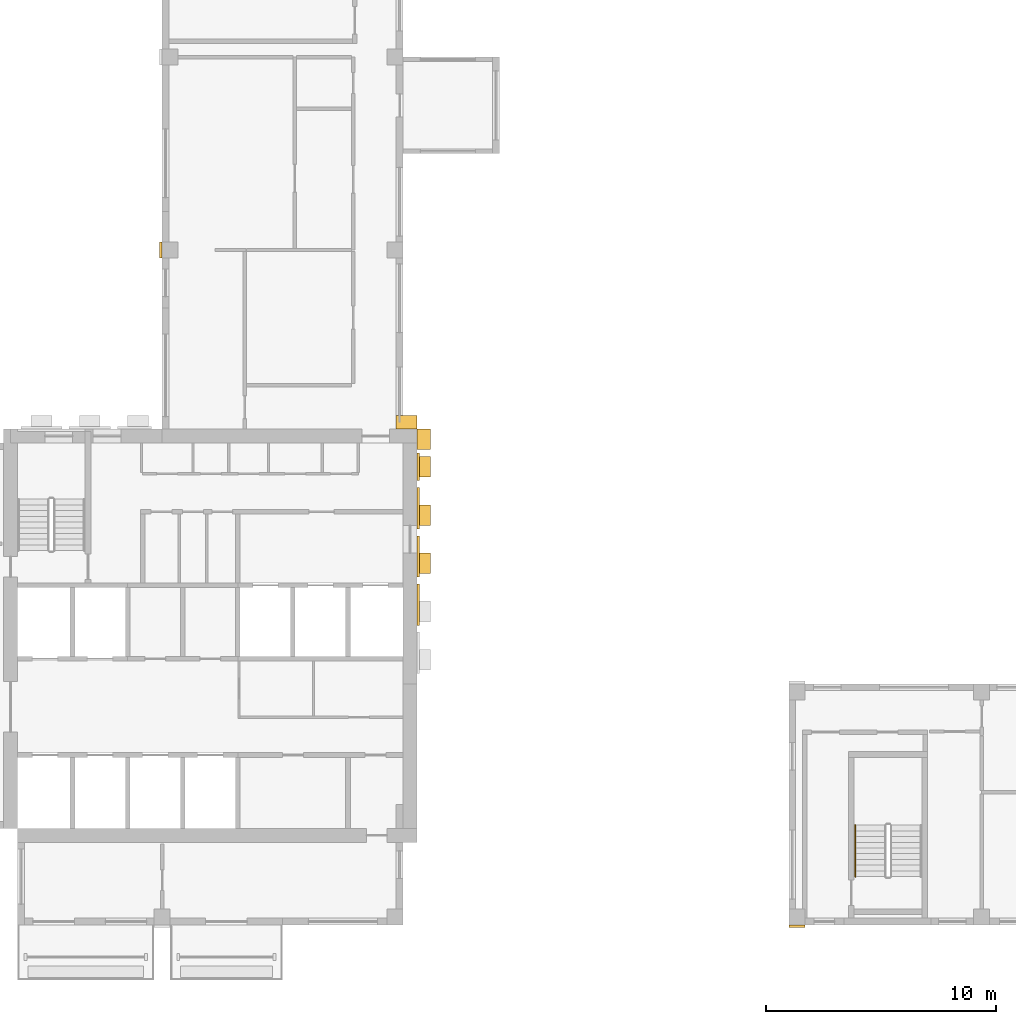
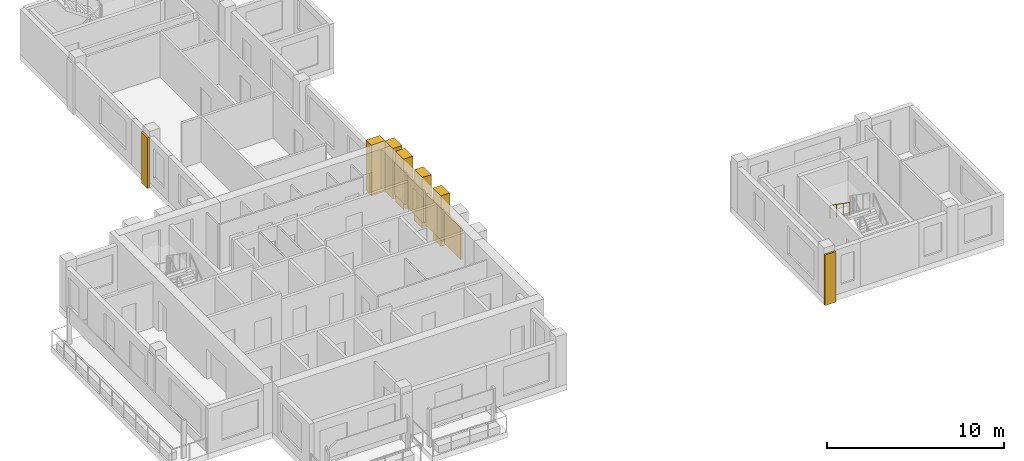
# One storey, part 7 of 9: 11 coverings, 1 railing.
"""IFC4 building model written with IfcOpenShell, lengths in metres."""

from ifc_helpers import new_model, si_unit, direction, frame, origin, origin_2d, place, context, subcontext, project, spatial, rectangle, circle, extrude, source, transform, mapped, material, type_object, element, save


model = new_model("IFC4")

# Units and contexts
model_context = context("Model", 3, precision=1e-05, world=origin(), true_north=direction((0.0, 1.0)))
body_context = subcontext(model_context, "Body", "Model", "MODEL_VIEW")
ifc_project = project(units=[si_unit("LENGTHUNIT", "METRE"), si_unit("AREAUNIT", "SQUARE_METRE"), si_unit("VOLUMEUNIT", "CUBIC_METRE"), si_unit("PLANEANGLEUNIT", "RADIAN"), si_unit("MASSUNIT", "GRAM", prefix="KILO")], contexts=[model_context])

# Site, building, storey
site_placement = place(None, origin())
site = spatial("IfcSite", under=ifc_project, at=site_placement, CompositionType="ELEMENT")
building_placement = place(site_placement, origin())
building = spatial("IfcBuilding", under=site, at=building_placement, Name="Aurelian Terraces", CompositionType="ELEMENT")
storey_placement = place(building_placement, frame((0.0, 0.0, 298.5)))
storey = spatial("IfcBuildingStorey", under=building, at=storey_placement, Name="L68", CompositionType="ELEMENT", Elevation=298.5)

# Coverings
ifc_material_1 = material(Name="Terracotta rainscreen cladding louvre blades", Category="masonry")
covering_type_1 = type_object("IfcCoveringType", Name="LOUVRE-TC", PredefinedType="CLADDING", material=ifc_material_1)
shared_shape_1 = source(origin(), body_context, "Body", "SweptSolid", [
    extrude(rectangle(XDim=0.12, YDim=1.8, at=origin_2d()), origin(), (0.0, 0.0, 1.0), 2.2),
])
for number, where, z_axis, x_axis, name in (
    (1, (21.66, 13.95, 0.45), (0.0, 0.0, 1.0), (1.0, 0.0, 0.0), "LOUVRE L68 core face E.2"),
    (2, (21.66, 16.05, 0.45), (0.0, 0.0, 1.0), (1.0, 0.0, 0.0), "LOUVRE L68 core face E.3"),
    (3, (21.66, 18.15, 0.45), (0.0, 0.0, 1.0), (1.0, 0.0, 0.0), "LOUVRE L68 core face E.4"),
):
    element("IfcCovering", number, at=place(storey_placement, frame(where, z_axis=z_axis, x_axis=x_axis)), inside=storey, type_object=covering_type_1, Name=name, PredefinedType="CLADDING", context=body_context, shape_type="MappedRepresentation", body=[
        mapped(shared_shape_1, transform((0.0, 0.0, 0.0), scale=1.0)),
    ])
ifc_material_2 = material(Name="Terracotta rainscreen cladding relief", Category="masonry")
covering_type_2 = type_object("IfcCoveringType", Name="BAGUETTE-TC", PredefinedType="CLADDING", material=ifc_material_2)
shared_shape_2 = source(origin(), body_context, "Body", "SweptSolid", [
    extrude(rectangle(XDim=0.7, YDim=0.12, at=origin_2d()), origin(), (0.0, 0.0, 1.0), 3.5),
])
covering_1_placement = place(storey_placement, frame((38.15, -0.06, -0.4), z_axis=(0.0, 0.0, 1.0), x_axis=(1.0, 0.0, 0.0)))
element("IfcCovering", 4, at=covering_1_placement, inside=storey, type_object=covering_type_2, Name="BAGUETTE pier L68 2", PredefinedType="CLADDING", context=body_context, shape_type="MappedRepresentation", body=[
    mapped(shared_shape_2, transform((0.0, 0.0, 0.0), scale=1.0)),
])
shared_shape_3 = source(origin(), body_context, "Body", "SweptSolid", [
    extrude(rectangle(XDim=0.12, YDim=0.7, at=origin_2d()), origin(), (0.0, 0.0, 1.0), 3.5),
])
covering_2_placement = place(storey_placement, frame((10.44, 29.4, -0.4), z_axis=(0.0, 0.0, 1.0), x_axis=(1.0, 0.0, 0.0)))
element("IfcCovering", 5, at=covering_2_placement, inside=storey, type_object=covering_type_2, Name="BAGUETTE pier L68 5", PredefinedType="CLADDING", context=body_context, shape_type="MappedRepresentation", body=[
    mapped(shared_shape_3, transform((0.0, 0.0, 0.0), scale=1.0)),
])
shared_shape_4 = source(origin(), body_context, "Body", "SweptSolid", [
    extrude(rectangle(XDim=0.12, YDim=1.2, at=origin_2d()), origin(), (0.0, 0.0, 1.0), 2.2),
])
covering_3_placement = place(storey_placement, frame((21.66, 19.95, 0.45), z_axis=(0.0, 0.0, 1.0), x_axis=(1.0, 0.0, 0.0)))
element("IfcCovering", 6, at=covering_3_placement, inside=storey, type_object=covering_type_1, Name="LOUVRE L68 core face E.5", PredefinedType="CLADDING", context=body_context, shape_type="MappedRepresentation", body=[
    mapped(shared_shape_4, transform((0.0, 0.0, 0.0), scale=1.0)),
])

# Railing
ifc_material_3 = material(Name="Stainless steel", Category="steel")
railing_type = type_object("IfcRailingType", Name="Stair handrail", PredefinedType="HANDRAIL", material=ifc_material_3)
shared_shape_5 = source(origin(), body_context, "Body", "SweptSolid", [
    extrude(circle(Radius=0.024, at=origin_2d()), frame((0.0, 0.0, 0.876), z_axis=(0.0, -0.819231920519, 0.573462344363), x_axis=(1.0, 0.0, 0.0)), (0.0, 0.0, 1.0), 2.7465),
    extrude(circle(Radius=0.021, at=origin_2d()), origin(), (0.0, 0.0, 1.0), 0.852),
    extrude(circle(Radius=0.021, at=origin_2d()), frame((0.0, -0.75, 0.525)), (0.0, 0.0, 1.0), 0.852),
    extrude(circle(Radius=0.021, at=origin_2d()), frame((0.0, -1.5, 1.05)), (0.0, 0.0, 1.0), 0.852),
    extrude(circle(Radius=0.021, at=origin_2d()), frame((0.0, -2.25, 1.575)), (0.0, 0.0, 1.0), 0.852),
])
railing_placement = place(storey_placement, frame((40.7, 4.35, 1.925)))
element("IfcRailing", 7, at=railing_placement, inside=storey, type_object=railing_type, Name="L68 S2 stair handrail 2", PredefinedType="HANDRAIL", context=body_context, shape_type="MappedRepresentation", body=[
    mapped(shared_shape_5, transform((0.0, 0.0, 0.0), scale=1.0)),
])

# Coverings
covering_type_3 = type_object("IfcCoveringType", Name="Core spine pier 900x600", PredefinedType="CLADDING", material=ifc_material_2)
shared_shape_6 = source(origin(), body_context, "Body", "SweptSolid", [
    extrude(rectangle(XDim=0.6, YDim=0.9, at=origin_2d()), origin(), (0.0, 0.0, 1.0), 3.5),
])
for number, where, z_axis, x_axis, name in (
    (8, (21.9, 15.75, 0.0), (0.0, 0.0, 1.0), (1.0, 0.0, 0.0), "Spine pier L68 E3"),
    (9, (21.9, 17.85, 0.0), (0.0, 0.0, 1.0), (1.0, 0.0, 0.0), "Spine pier L68 E4"),
    (10, (21.9, 19.95, 0.0), (0.0, 0.0, 1.0), (1.0, 0.0, 0.0), "Spine pier L68 E5"),
    (11, (21.9, 21.15, 0.0), (0.0, 0.0, 1.0), (1.0, 0.0, 0.0), "Spine pier L68 corner east"),
):
    element("IfcCovering", number, at=place(storey_placement, frame(where, z_axis=z_axis, x_axis=x_axis)), inside=storey, type_object=covering_type_3, Name=name, PredefinedType="CLADDING", context=body_context, shape_type="MappedRepresentation", body=[
        mapped(shared_shape_6, transform((0.0, 0.0, 0.0), scale=1.0)),
    ])
shared_shape_7 = source(origin(), body_context, "Body", "SweptSolid", [
    extrude(rectangle(XDim=0.9, YDim=0.6, at=origin_2d()), origin(), (0.0, 0.0, 1.0), 3.5),
])
covering_4_placement = place(storey_placement, frame((21.15, 21.9, 0.0), z_axis=(0.0, 0.0, 1.0), x_axis=(1.0, 0.0, 0.0)))
element("IfcCovering", 12, at=covering_4_placement, inside=storey, type_object=covering_type_3, Name="Spine pier L68 corner north", PredefinedType="CLADDING", context=body_context, shape_type="MappedRepresentation", body=[
    mapped(shared_shape_7, transform((0.0, 0.0, 0.0), scale=1.0)),
])

save(model, "model.ifc")
